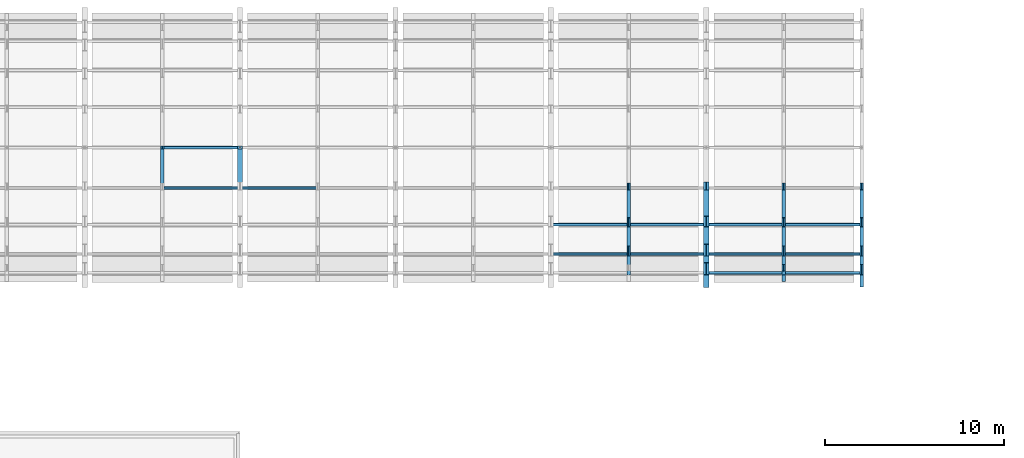
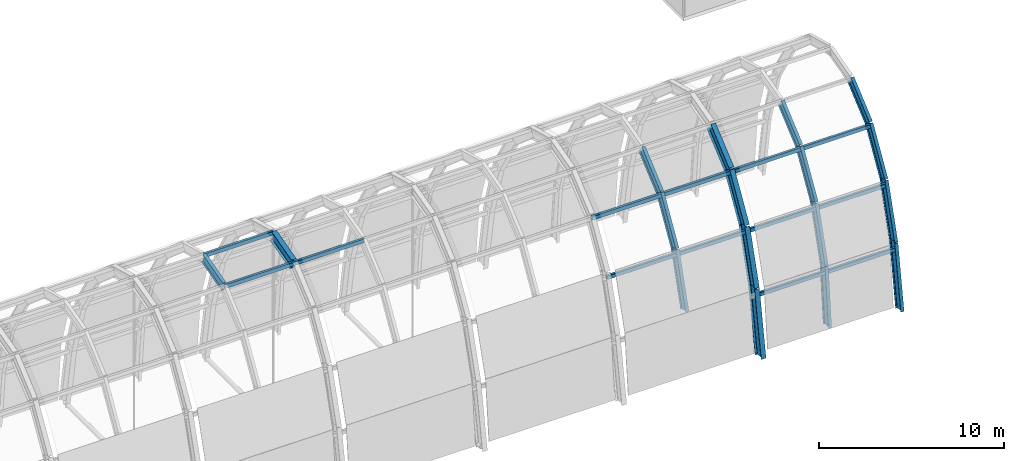
# One storey, part 5 of 13: 17 beams, 13 members.
"""IFC4 building model written with IfcOpenShell, lengths in metres."""

from ifc_helpers import new_model, si_unit, derived_unit, direction, frame, origin, origin_2d, place, context, subcontext, project, spatial, hollow_rectangle, i_section, extrude, material, material_profile, profile_set, type_object, element, save


model = new_model("IFC4")

# Units and contexts
model_context = context("Model", 3, precision=1e-05, world=origin(), true_north=direction((0.0, 1.0)))
body_context = subcontext(model_context, "Body", "Model", "MODEL_VIEW")
ifc_project = project(units=[si_unit("LENGTHUNIT", "METRE"), si_unit("AREAUNIT", "SQUARE_METRE"), si_unit("VOLUMEUNIT", "CUBIC_METRE"), si_unit("PLANEANGLEUNIT", "RADIAN"), si_unit("MASSUNIT", "GRAM", prefix="KILO"), derived_unit("THERMALTRANSMITTANCEUNIT", [(si_unit("MASSUNIT", "GRAM", prefix="KILO"), 1), (si_unit("TIMEUNIT", "SECOND"), -3), (si_unit("THERMODYNAMICTEMPERATUREUNIT", "KELVIN"), -1)])], contexts=[model_context])

# Site, building, storey
site_placement = place(None, origin())
site = spatial("IfcSite", under=ifc_project, at=site_placement, CompositionType="ELEMENT")
building_placement = place(site_placement, origin())
building = spatial("IfcBuilding", under=site, at=building_placement, Name="Qinzheling Arcade Emporium", CompositionType="ELEMENT")
storey_placement = place(building_placement, frame((0.0, 0.0, 41.10009765625)))
storey = spatial("IfcBuildingStorey", under=building, at=storey_placement, Name="RF", CompositionType="ELEMENT", Elevation=41.10009765625)

# Beams
ifc_material = material(Name="Weathering steel Q355NH", Category="steel")
ifc_material_profile_1 = material_profile(ifc_material, i_section(OverallWidth=0.199951171875, OverallDepth=0.60009765625, WebThickness=0.010986328125, FlangeThickness=0.01708984375, FilletRadius=0.02001953125, at=origin_2d()), Name="HN 600x200x11x17", Category="steel")
ifc_profile_set_1 = profile_set([ifc_material_profile_1], Name="Weathering steel Q355NH")
beam_type_1 = type_object("IfcBeamType", Name="Atrium End Arch Rib HN600 Q355NH", PredefinedType="BEAM", material=ifc_profile_set_1)
beam_1_placement = place(storey_placement, frame((104.39990234375, 50.39990234375, -5.10009765625), z_axis=(0.0, 0.157845005708, 0.987463900187), x_axis=(-1.0, 0.0, 0.0)))
element("IfcBeam", 1, at=beam_1_placement, inside=storey, type_object=beam_type_1, Name="Atrium Arch Rib VLT-ATRIUM-RIB-09-S01", PredefinedType="BEAM", context=body_context, shape_type="SweptSolid", body=[
    extrude(i_section(OverallWidth=0.199951171875, OverallDepth=0.60009765625, WebThickness=0.010986328125, FlangeThickness=0.01708984375, FilletRadius=0.02001953125, at=origin_2d()), origin(), (0.0, 0.0, 1.0), 4.1884765625),
])
beam_2_placement = place(storey_placement, frame((104.39990234375, 51.06103515625, -0.964111328125), z_axis=(0.0, 0.289950987628, 0.957041495847), x_axis=(-1.0, 0.0, 0.0)))
element("IfcBeam", 2, at=beam_2_placement, inside=storey, type_object=beam_type_1, Name="Atrium Arch Rib VLT-ATRIUM-RIB-09-S02", PredefinedType="BEAM", context=body_context, shape_type="SweptSolid", body=[
    extrude(i_section(OverallWidth=0.199951171875, OverallDepth=0.60009765625, WebThickness=0.010986328125, FlangeThickness=0.01708984375, FilletRadius=0.02001953125, at=origin_2d()), origin(), (0.0, 0.0, 1.0), 3.603759765625),
])
beam_3_placement = place(storey_placement, frame((104.39990234375, 52.10595703125, 2.48486328125), z_axis=(0.0, 0.511083106472, 0.859531301512), x_axis=(-1.0, 0.0, 0.0)))
element("IfcBeam", 3, at=beam_3_placement, inside=storey, type_object=beam_type_1, Name="Atrium Arch Rib VLT-ATRIUM-RIB-09-S03", PredefinedType="BEAM", context=body_context, shape_type="SweptSolid", body=[
    extrude(i_section(OverallWidth=0.199951171875, OverallDepth=0.60009765625, WebThickness=0.010986328125, FlangeThickness=0.01708984375, FilletRadius=0.02001953125, at=origin_2d()), origin(), (0.0, 0.0, 1.0), 3.159912109375),
])
beam_4_placement = place(storey_placement, frame((104.39990234375, 53.720947265625, 5.200927734375), z_axis=(0.0, 0.759080059395, 0.650997283734), x_axis=(-1.0, 0.0, 0.0)))
element("IfcBeam", 4, at=beam_4_placement, inside=storey, type_object=beam_type_1, Name="Atrium Arch Rib VLT-ATRIUM-RIB-09-S04", PredefinedType="BEAM", context=body_context, shape_type="SweptSolid", body=[
    extrude(i_section(OverallWidth=0.199951171875, OverallDepth=0.60009765625, WebThickness=0.010986328125, FlangeThickness=0.01708984375, FilletRadius=0.02001953125, at=origin_2d()), origin(), (0.0, 0.0, 1.0), 2.635986328125),
])
beam_5_placement = place(storey_placement, frame((65.25, 55.720947265625, 6.9189453125), z_axis=(0.0, 0.966019024802, 0.258470972686), x_axis=(-1.0, 0.0, 0.0)))
element("IfcBeam", 5, at=beam_5_placement, inside=storey, type_object=beam_type_1, Name="Atrium Sub-Rib VLT-ATRIUM-SRIB-B04-S05", PredefinedType="BEAM", context=body_context, shape_type="SweptSolid", body=[
    extrude(i_section(OverallWidth=0.199951171875, OverallDepth=0.60009765625, WebThickness=0.010986328125, FlangeThickness=0.01708984375, FilletRadius=0.02001953125, at=origin_2d()), origin(), (0.0, 0.0, 1.0), 2.255615234375),
])
beam_6_placement = place(storey_placement, frame((91.35009765625, 51.05908203125, -0.964111328125), z_axis=(0.0, 0.29012392853, 0.956989083581), x_axis=(-1.0, 0.0, 0.0)))
element("IfcBeam", 6, at=beam_6_placement, inside=storey, type_object=beam_type_1, Name="Atrium Sub-Rib VLT-ATRIUM-SRIB-B07-S02", PredefinedType="BEAM", context=body_context, shape_type="SweptSolid", body=[
    extrude(i_section(OverallWidth=0.199951171875, OverallDepth=0.60009765625, WebThickness=0.010986328125, FlangeThickness=0.01708984375, FilletRadius=0.02001953125, at=origin_2d()), origin(), (0.0, 0.0, 1.0), 3.60498046875),
])
beam_7_placement = place(storey_placement, frame((91.35009765625, 52.10498046875, 2.48583984375), z_axis=(0.0, 0.511083106472, 0.859531301512), x_axis=(-1.0, 0.0, 0.0)))
element("IfcBeam", 7, at=beam_7_placement, inside=storey, type_object=beam_type_1, Name="Atrium Sub-Rib VLT-ATRIUM-SRIB-B07-S03", PredefinedType="BEAM", context=body_context, shape_type="SweptSolid", body=[
    extrude(i_section(OverallWidth=0.199951171875, OverallDepth=0.60009765625, WebThickness=0.010986328125, FlangeThickness=0.01708984375, FilletRadius=0.02001953125, at=origin_2d()), origin(), (0.0, 0.0, 1.0), 3.159912109375),
])
beam_8_placement = place(storey_placement, frame((91.35009765625, 53.719970703125, 5.201904296875), z_axis=(0.0, 0.758897005565, 0.651210668636), x_axis=(-1.0, 0.0, 0.0)))
element("IfcBeam", 8, at=beam_8_placement, inside=storey, type_object=beam_type_1, Name="Atrium Sub-Rib VLT-ATRIUM-SRIB-B07-S04", PredefinedType="BEAM", context=body_context, shape_type="SweptSolid", body=[
    extrude(i_section(OverallWidth=0.199951171875, OverallDepth=0.60009765625, WebThickness=0.010986328125, FlangeThickness=0.01708984375, FilletRadius=0.02001953125, at=origin_2d()), origin(), (0.0, 0.0, 1.0), 2.63671875),
])
beam_9_placement = place(storey_placement, frame((100.050048828125, 50.697021484375, -4.828125), z_axis=(0.0, 0.093291990198, 0.995638792216), x_axis=(-1.0, 0.0, 0.0)))
element("IfcBeam", 9, at=beam_9_placement, inside=storey, type_object=beam_type_1, Name="Atrium Sub-Rib VLT-ATRIUM-SRIB-B08-S01", PredefinedType="BEAM", context=body_context, shape_type="SweptSolid", body=[
    extrude(i_section(OverallWidth=0.199951171875, OverallDepth=0.60009765625, WebThickness=0.010986328125, FlangeThickness=0.01708984375, FilletRadius=0.02001953125, at=origin_2d()), origin(), (0.0, 0.0, 1.0), 3.880859375),
])
beam_10_placement = place(storey_placement, frame((100.050048828125, 51.05908203125, -0.964111328125), z_axis=(0.0, 0.29012392853, 0.956989083581), x_axis=(-1.0, 0.0, 0.0)))
element("IfcBeam", 10, at=beam_10_placement, inside=storey, type_object=beam_type_1, Name="Atrium Sub-Rib VLT-ATRIUM-SRIB-B08-S02", PredefinedType="BEAM", context=body_context, shape_type="SweptSolid", body=[
    extrude(i_section(OverallWidth=0.199951171875, OverallDepth=0.60009765625, WebThickness=0.010986328125, FlangeThickness=0.01708984375, FilletRadius=0.02001953125, at=origin_2d()), origin(), (0.0, 0.0, 1.0), 3.60498046875),
])
beam_11_placement = place(storey_placement, frame((100.050048828125, 52.10498046875, 2.48583984375), z_axis=(0.0, 0.511083106472, 0.859531301512), x_axis=(-1.0, 0.0, 0.0)))
element("IfcBeam", 11, at=beam_11_placement, inside=storey, type_object=beam_type_1, Name="Atrium Sub-Rib VLT-ATRIUM-SRIB-B08-S03", PredefinedType="BEAM", context=body_context, shape_type="SweptSolid", body=[
    extrude(i_section(OverallWidth=0.199951171875, OverallDepth=0.60009765625, WebThickness=0.010986328125, FlangeThickness=0.01708984375, FilletRadius=0.02001953125, at=origin_2d()), origin(), (0.0, 0.0, 1.0), 3.159912109375),
])
beam_12_placement = place(storey_placement, frame((100.050048828125, 53.719970703125, 5.201904296875), z_axis=(0.0, 0.758897005565, 0.651210668636), x_axis=(-1.0, 0.0, 0.0)))
element("IfcBeam", 12, at=beam_12_placement, inside=storey, type_object=beam_type_1, Name="Atrium Sub-Rib VLT-ATRIUM-SRIB-B08-S04", PredefinedType="BEAM", context=body_context, shape_type="SweptSolid", body=[
    extrude(i_section(OverallWidth=0.199951171875, OverallDepth=0.60009765625, WebThickness=0.010986328125, FlangeThickness=0.01708984375, FilletRadius=0.02001953125, at=origin_2d()), origin(), (0.0, 0.0, 1.0), 2.63671875),
])

# Members
ifc_material_profile_2 = material_profile(ifc_material, hollow_rectangle(XDim=0.159912109375, YDim=0.260009765625, WallThickness=0.010009765625, InnerFilletRadius=0.010009765625, OuterFilletRadius=0.02001953125, at=origin_2d()), Name="RHS 260x160x10", Category="steel")
ifc_profile_set_2 = profile_set([ifc_material_profile_2], Name="Weathering steel Q355NH")
member_type = type_object("IfcMemberType", Name="Atrium Skylight Purlin RHS260 Q355NH", PredefinedType="PURLIN", material=ifc_profile_set_2)
for number, where, z_axis, x_axis, name in (
    (13, (65.25, 55.635986328125, 6.98095703125), (1.0, 0.0, 0.0), (0.0, 1.0, 0.0), "Atrium Skylight Purlin VLT-ATRIUM-PUR-B04-N04-2"),
    (14, (65.25, 57.89990234375, 7.64599609375), (1.0, 0.0, 0.0), (0.0, 1.0, 0.0), "Atrium Skylight Purlin VLT-ATRIUM-PUR-B04-N05-2"),
):
    element("IfcMember", number, at=place(storey_placement, frame(where, z_axis=z_axis, x_axis=x_axis)), inside=storey, type_object=member_type, Name=name, PredefinedType="PURLIN", context=body_context, shape_type="SweptSolid", body=[
        extrude(hollow_rectangle(XDim=0.159912109375, YDim=0.260009765625, WallThickness=0.010009765625, InnerFilletRadius=0.010009765625, OuterFilletRadius=0.02001953125, at=origin_2d()), origin(), (0.0, 0.0, 1.0), 4.35009765625),
    ])
member_1_placement = place(storey_placement, frame((69.60009765625, 55.635986328125, 6.98095703125), z_axis=(1.0, 0.0, 0.0), x_axis=(0.0, 1.0, 0.0)))
element("IfcMember", 15, at=member_1_placement, inside=storey, type_object=member_type, Name="Atrium Skylight Purlin VLT-ATRIUM-PUR-B05-N04-1", PredefinedType="PURLIN", context=body_context, shape_type="SweptSolid", body=[
    extrude(hollow_rectangle(XDim=0.159912109375, YDim=0.260009765625, WallThickness=0.010009765625, InnerFilletRadius=0.010009765625, OuterFilletRadius=0.02001953125, at=origin_2d()), origin(), (0.0, 0.0, 1.0), 4.349853515625),
])
member_2_placement = place(storey_placement, frame((87.0, 51.94091796875, 2.201904296875), z_axis=(1.0, 0.0, 0.0), x_axis=(0.0, 1.0, 0.0)))
element("IfcMember", 16, at=member_2_placement, inside=storey, type_object=member_type, Name="Atrium Skylight Purlin VLT-ATRIUM-PUR-B07-N02-1", PredefinedType="PURLIN", context=body_context, shape_type="SweptSolid", body=[
    extrude(hollow_rectangle(XDim=0.159912109375, YDim=0.260009765625, WallThickness=0.010009765625, InnerFilletRadius=0.010009765625, OuterFilletRadius=0.02001953125, at=origin_2d()), origin(), (0.0, 0.0, 1.0), 4.35009765625),
])
member_3_placement = place(storey_placement, frame((91.35009765625, 51.94091796875, 2.201904296875), z_axis=(1.0, 0.0, 0.0), x_axis=(0.0, 1.0, 0.0)))
element("IfcMember", 17, at=member_3_placement, inside=storey, type_object=member_type, Name="Atrium Skylight Purlin VLT-ATRIUM-PUR-B07-N02-2", PredefinedType="PURLIN", context=body_context, shape_type="SweptSolid", body=[
    extrude(hollow_rectangle(XDim=0.159912109375, YDim=0.260009765625, WallThickness=0.010009765625, InnerFilletRadius=0.010009765625, OuterFilletRadius=0.02001953125, at=origin_2d()), origin(), (0.0, 0.0, 1.0), 4.349853515625),
])
member_4_placement = place(storey_placement, frame((87.0, 53.5830078125, 5.1240234375), z_axis=(1.0, 0.0, 0.0), x_axis=(0.0, 1.0, 0.0)))
element("IfcMember", 18, at=member_4_placement, inside=storey, type_object=member_type, Name="Atrium Skylight Purlin VLT-ATRIUM-PUR-B07-N03-1", PredefinedType="PURLIN", context=body_context, shape_type="SweptSolid", body=[
    extrude(hollow_rectangle(XDim=0.159912109375, YDim=0.260009765625, WallThickness=0.010009765625, InnerFilletRadius=0.010009765625, OuterFilletRadius=0.02001953125, at=origin_2d()), origin(), (0.0, 0.0, 1.0), 4.35009765625),
])
member_5_placement = place(storey_placement, frame((91.35009765625, 53.5830078125, 5.1240234375), z_axis=(1.0, 0.0, 0.0), x_axis=(0.0, 1.0, 0.0)))
element("IfcMember", 19, at=member_5_placement, inside=storey, type_object=member_type, Name="Atrium Skylight Purlin VLT-ATRIUM-PUR-B07-N03-2", PredefinedType="PURLIN", context=body_context, shape_type="SweptSolid", body=[
    extrude(hollow_rectangle(XDim=0.159912109375, YDim=0.260009765625, WallThickness=0.010009765625, InnerFilletRadius=0.010009765625, OuterFilletRadius=0.02001953125, at=origin_2d()), origin(), (0.0, 0.0, 1.0), 4.349853515625),
])
member_6_placement = place(storey_placement, frame((95.699951171875, 50.884033203125, -1.380126953125), z_axis=(1.0, 0.0, 0.0), x_axis=(0.0, 1.0, 0.0)))
element("IfcMember", 20, at=member_6_placement, inside=storey, type_object=member_type, Name="Atrium Skylight Purlin VLT-ATRIUM-PUR-B08-N01-1", PredefinedType="PURLIN", context=body_context, shape_type="SweptSolid", body=[
    extrude(hollow_rectangle(XDim=0.159912109375, YDim=0.260009765625, WallThickness=0.010009765625, InnerFilletRadius=0.010009765625, OuterFilletRadius=0.02001953125, at=origin_2d()), origin(), (0.0, 0.0, 1.0), 4.35009765625),
])
member_7_placement = place(storey_placement, frame((100.050048828125, 50.884033203125, -1.380126953125), z_axis=(1.0, 0.0, 0.0), x_axis=(0.0, 1.0, 0.0)))
element("IfcMember", 21, at=member_7_placement, inside=storey, type_object=member_type, Name="Atrium Skylight Purlin VLT-ATRIUM-PUR-B08-N01-2", PredefinedType="PURLIN", context=body_context, shape_type="SweptSolid", body=[
    extrude(hollow_rectangle(XDim=0.159912109375, YDim=0.260009765625, WallThickness=0.010009765625, InnerFilletRadius=0.010009765625, OuterFilletRadius=0.02001953125, at=origin_2d()), origin(), (0.0, 0.0, 1.0), 4.349853515625),
])
member_8_placement = place(storey_placement, frame((95.699951171875, 51.94091796875, 2.201904296875), z_axis=(1.0, 0.0, 0.0), x_axis=(0.0, 1.0, 0.0)))
element("IfcMember", 22, at=member_8_placement, inside=storey, type_object=member_type, Name="Atrium Skylight Purlin VLT-ATRIUM-PUR-B08-N02-1", PredefinedType="PURLIN", context=body_context, shape_type="SweptSolid", body=[
    extrude(hollow_rectangle(XDim=0.159912109375, YDim=0.260009765625, WallThickness=0.010009765625, InnerFilletRadius=0.010009765625, OuterFilletRadius=0.02001953125, at=origin_2d()), origin(), (0.0, 0.0, 1.0), 4.35009765625),
])
member_9_placement = place(storey_placement, frame((100.050048828125, 51.94091796875, 2.201904296875), z_axis=(1.0, 0.0, 0.0), x_axis=(0.0, 1.0, 0.0)))
element("IfcMember", 23, at=member_9_placement, inside=storey, type_object=member_type, Name="Atrium Skylight Purlin VLT-ATRIUM-PUR-B08-N02-2", PredefinedType="PURLIN", context=body_context, shape_type="SweptSolid", body=[
    extrude(hollow_rectangle(XDim=0.159912109375, YDim=0.260009765625, WallThickness=0.010009765625, InnerFilletRadius=0.010009765625, OuterFilletRadius=0.02001953125, at=origin_2d()), origin(), (0.0, 0.0, 1.0), 4.349853515625),
])
member_10_placement = place(storey_placement, frame((95.699951171875, 53.5830078125, 5.1240234375), z_axis=(1.0, 0.0, 0.0), x_axis=(0.0, 1.0, 0.0)))
element("IfcMember", 24, at=member_10_placement, inside=storey, type_object=member_type, Name="Atrium Skylight Purlin VLT-ATRIUM-PUR-B08-N03-1", PredefinedType="PURLIN", context=body_context, shape_type="SweptSolid", body=[
    extrude(hollow_rectangle(XDim=0.159912109375, YDim=0.260009765625, WallThickness=0.010009765625, InnerFilletRadius=0.010009765625, OuterFilletRadius=0.02001953125, at=origin_2d()), origin(), (0.0, 0.0, 1.0), 4.35009765625),
])
member_11_placement = place(storey_placement, frame((100.050048828125, 53.5830078125, 5.1240234375), z_axis=(1.0, 0.0, 0.0), x_axis=(0.0, 1.0, 0.0)))
element("IfcMember", 25, at=member_11_placement, inside=storey, type_object=member_type, Name="Atrium Skylight Purlin VLT-ATRIUM-PUR-B08-N03-2", PredefinedType="PURLIN", context=body_context, shape_type="SweptSolid", body=[
    extrude(hollow_rectangle(XDim=0.159912109375, YDim=0.260009765625, WallThickness=0.010009765625, InnerFilletRadius=0.010009765625, OuterFilletRadius=0.02001953125, at=origin_2d()), origin(), (0.0, 0.0, 1.0), 4.349853515625),
])

# Beams
ifc_material_profile_3 = material_profile(ifc_material, i_section(OverallWidth=0.300048828125, OverallDepth=0.699951171875, WebThickness=0.012939453125, FlangeThickness=0.02392578125, FilletRadius=0.02392578125, at=origin_2d()), Name="HN 700x300x13x24", Category="steel")
ifc_profile_set_3 = profile_set([ifc_material_profile_3], Name="Weathering steel Q355NH")
beam_type_2 = type_object("IfcBeamType", Name="Atrium Vault Arch Rib HN700 Q355NH", PredefinedType="BEAM", material=ifc_profile_set_3)
beam_13_placement = place(storey_placement, frame((69.60009765625, 55.7451171875, 6.872802734375), z_axis=(0.0, 0.965950982099, 0.258725144084), x_axis=(-1.0, 0.0, 0.0)))
element("IfcBeam", 26, at=beam_13_placement, inside=storey, type_object=beam_type_2, Name="Atrium Arch Rib VLT-ATRIUM-RIB-05-S05", PredefinedType="BEAM", context=body_context, shape_type="SweptSolid", body=[
    extrude(i_section(OverallWidth=0.300048828125, OverallDepth=0.699951171875, WebThickness=0.012939453125, FlangeThickness=0.02392578125, FilletRadius=0.02392578125, at=origin_2d()), origin(), (0.0, 0.0, 1.0), 2.230712890625),
])
beam_14_placement = place(storey_placement, frame((95.699951171875, 50.39990234375, -5.150146484375), z_axis=(0.0, 0.167659912013, 0.985844893431), x_axis=(-1.0, 0.0, 0.0)))
element("IfcBeam", 27, at=beam_14_placement, inside=storey, type_object=beam_type_2, Name="Atrium Arch Rib VLT-ATRIUM-RIB-08-S01", PredefinedType="BEAM", context=body_context, shape_type="SweptSolid", body=[
    extrude(i_section(OverallWidth=0.300048828125, OverallDepth=0.699951171875, WebThickness=0.012939453125, FlangeThickness=0.02392578125, FilletRadius=0.02392578125, at=origin_2d()), origin(), (0.0, 0.0, 1.0), 4.236083984375),
])
beam_15_placement = place(storey_placement, frame((95.699951171875, 51.110107421875, -0.97412109375), z_axis=(0.0, 0.289977224011, 0.957033546724), x_axis=(-1.0, 0.0, 0.0)))
element("IfcBeam", 28, at=beam_15_placement, inside=storey, type_object=beam_type_2, Name="Atrium Arch Rib VLT-ATRIUM-RIB-08-S02", PredefinedType="BEAM", context=body_context, shape_type="SweptSolid", body=[
    extrude(i_section(OverallWidth=0.300048828125, OverallDepth=0.699951171875, WebThickness=0.012939453125, FlangeThickness=0.02392578125, FilletRadius=0.02392578125, at=origin_2d()), origin(), (0.0, 0.0, 1.0), 3.59326171875),
])
beam_16_placement = place(storey_placement, frame((95.699951171875, 52.152099609375, 2.46484375), z_axis=(0.0, 0.511090888191, 0.859526674401), x_axis=(-1.0, 0.0, 0.0)))
element("IfcBeam", 29, at=beam_16_placement, inside=storey, type_object=beam_type_2, Name="Atrium Arch Rib VLT-ATRIUM-RIB-08-S03", PredefinedType="BEAM", context=body_context, shape_type="SweptSolid", body=[
    extrude(i_section(OverallWidth=0.300048828125, OverallDepth=0.699951171875, WebThickness=0.012939453125, FlangeThickness=0.02392578125, FilletRadius=0.02392578125, at=origin_2d()), origin(), (0.0, 0.0, 1.0), 3.14599609375),
])
beam_17_placement = place(storey_placement, frame((95.699951171875, 53.760009765625, 5.1689453125), z_axis=(0.0, 0.758815061516, 0.651306151066), x_axis=(-1.0, 0.0, 0.0)))
element("IfcBeam", 30, at=beam_17_placement, inside=storey, type_object=beam_type_2, Name="Atrium Arch Rib VLT-ATRIUM-RIB-08-S04", PredefinedType="BEAM", context=body_context, shape_type="SweptSolid", body=[
    extrude(i_section(OverallWidth=0.300048828125, OverallDepth=0.699951171875, WebThickness=0.012939453125, FlangeThickness=0.02392578125, FilletRadius=0.02392578125, at=origin_2d()), origin(), (0.0, 0.0, 1.0), 2.615966796875),
])

save(model, "model.ifc")
